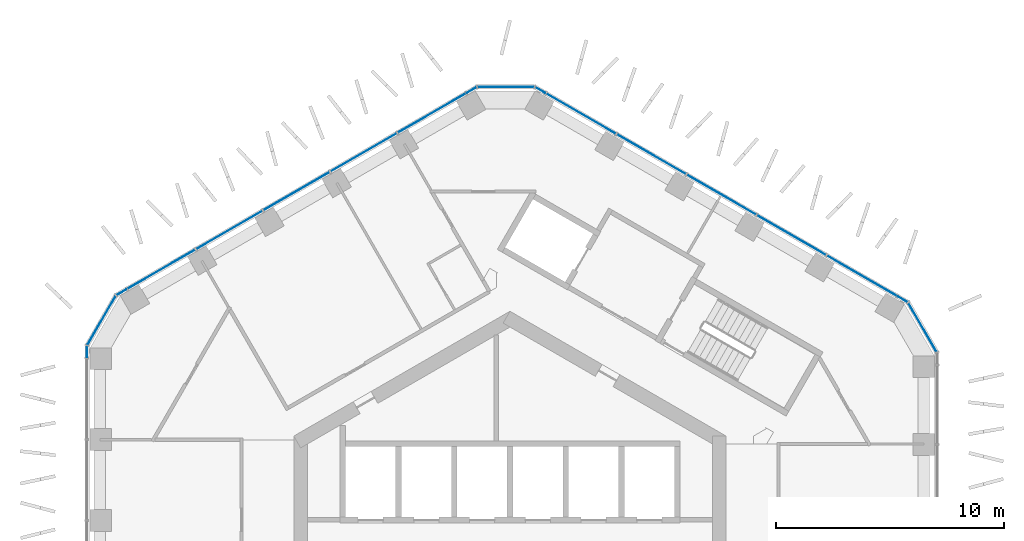
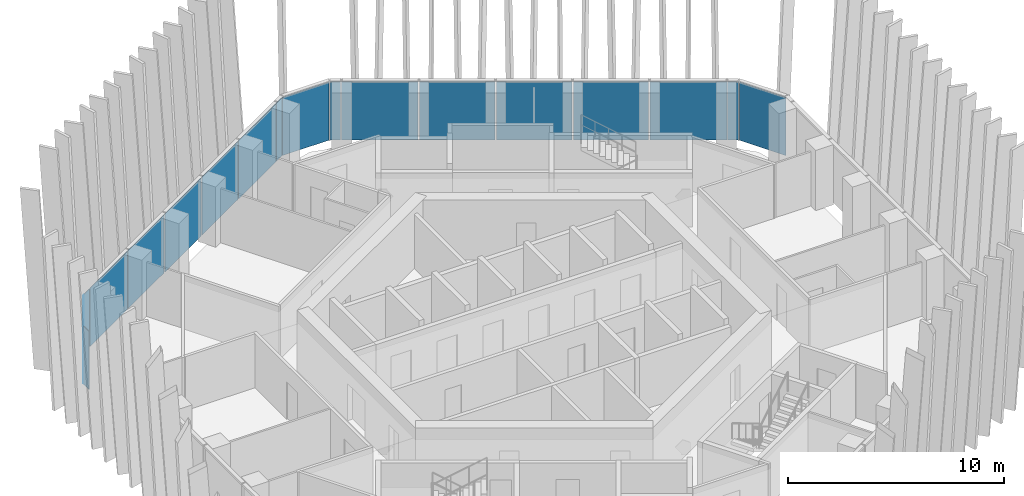
# One storey, part 12 of 20: 18 plates, 5 elements without a shape of their own.
"""IFC4 building model written with IfcOpenShell, lengths in metres."""

from ifc_helpers import new_model, si_unit, direction, frame, origin, origin_2d, place, context, subcontext, project, spatial, rectangle, extrude, material, layer, layer_set, type_object, element, aggregate, save


model = new_model("IFC4")

# Units and contexts
model_context = context("Model", 3, precision=1e-05, world=origin(), true_north=direction((0.0, 1.0)))
body_context = subcontext(model_context, "Body", "Model", "MODEL_VIEW")
ifc_project = project(units=[si_unit("LENGTHUNIT", "METRE"), si_unit("AREAUNIT", "SQUARE_METRE"), si_unit("VOLUMEUNIT", "CUBIC_METRE"), si_unit("PLANEANGLEUNIT", "RADIAN"), si_unit("MASSUNIT", "GRAM", prefix="KILO")], contexts=[model_context])

# Site, building, storey
site_placement = place(None, origin())
site = spatial("IfcSite", under=ifc_project, at=site_placement, CompositionType="ELEMENT")
building_placement = place(site_placement, origin())
building = spatial("IfcBuilding", under=site, at=building_placement, Name="Ayvan Gate Tower", CompositionType="ELEMENT")
storey_placement = place(building_placement, frame((0.0, 0.0, 162.89990234375)))
storey = spatial("IfcBuildingStorey", under=building, at=storey_placement, Name="L43", CompositionType="ELEMENT", Elevation=162.89990234375)

# Curtain wall, plates
ifc_material_1 = material(Name="Bronze anodised aluminium", Category="aluminium")
ifc_layer_1 = layer(ifc_material_1, 0.199951171875)
ifc_layer_set_1 = layer_set([ifc_layer_1], Name="Bronze anodised aluminium")
curtain_wall_type_1 = type_object("IfcCurtainWallType", Name="Stick curtain wall CW-2", PredefinedType="NOTDEFINED", material=ifc_layer_set_1)
curtain_wall_1_placement = place(storey_placement, origin())
curtain_wall_1 = element("IfcCurtainWall", 1, at=curtain_wall_1_placement, inside=storey, type_object=curtain_wall_type_1, Name="Stick curtain wall CW-2 L43", PredefinedType="NOTDEFINED")
ifc_material_2 = material(Name="Clear low-iron laminated glass", Category="glass")
ifc_layer_2 = layer(ifc_material_2, 0.028076171875)
ifc_layer_set_2 = layer_set([ifc_layer_2], Name="Clear low-iron laminated glass")
plate_type_1 = type_object("IfcPlateType", Name="Stick curtain wall CW-2 glass panel", PredefinedType="CURTAIN_PANEL", material=ifc_layer_set_2)
plate_1_placement = place(storey_placement, frame((-3.424560546875, 19.686767578125, 0.0), z_axis=(0.0, 0.0, 1.0), x_axis=(-0.866025403784, -0.5, 0.0)))
plate_1 = element("IfcPlate", 2, at=plate_1_placement, type_object=plate_type_1, Name="CW-2 glass panel 1", PredefinedType="CURTAIN_PANEL", context=body_context, shape_type="SweptSolid", body=[
    extrude(rectangle(XDim=3.450927734375, YDim=0.028076171875, at=origin_2d()), origin(), (0.0, 0.0, 1.0), 3.280029296875),
])
plate_2_placement = place(storey_placement, frame((-6.42626953125, 17.953857421875, 0.0), z_axis=(0.0, 0.0, 1.0), x_axis=(-0.866025403784, -0.5, 0.0)))
plate_2 = element("IfcPlate", 3, at=plate_2_placement, type_object=plate_type_1, Name="CW-2 glass panel 2", PredefinedType="CURTAIN_PANEL", context=body_context, shape_type="SweptSolid", body=[
    extrude(rectangle(XDim=3.341064453125, YDim=0.028076171875, at=origin_2d()), origin(), (0.0, 0.0, 1.0), 3.280029296875),
])
plate_3_placement = place(storey_placement, frame((-9.380615234375, 16.248046875, 0.0), z_axis=(0.0, 0.0, 1.0), x_axis=(-0.866025403784, -0.5, 0.0)))
plate_3 = element("IfcPlate", 4, at=plate_3_placement, type_object=plate_type_1, Name="CW-2 glass panel 3", PredefinedType="CURTAIN_PANEL", context=body_context, shape_type="SweptSolid", body=[
    extrude(rectangle(XDim=3.342041015625, YDim=0.028076171875, at=origin_2d()), origin(), (0.0, 0.0, 1.0), 3.280029296875),
])
plate_4_placement = place(storey_placement, frame((-12.335205078125, 14.542236328125, 0.0), z_axis=(0.0, 0.0, 1.0), x_axis=(-0.866025403784, -0.5, 0.0)))
plate_4 = element("IfcPlate", 5, at=plate_4_placement, type_object=plate_type_1, Name="CW-2 glass panel 4", PredefinedType="CURTAIN_PANEL", context=body_context, shape_type="SweptSolid", body=[
    extrude(rectangle(XDim=3.341064453125, YDim=0.028076171875, at=origin_2d()), origin(), (0.0, 0.0, 1.0), 3.280029296875),
])
plate_5_placement = place(storey_placement, frame((-15.3369140625, 12.809326171875, 0.0), z_axis=(0.0, 0.0, 1.0), x_axis=(-0.866025403784, -0.5, 0.0)))
plate_5 = element("IfcPlate", 6, at=plate_5_placement, type_object=plate_type_1, Name="CW-2 glass panel 5", PredefinedType="CURTAIN_PANEL", context=body_context, shape_type="SweptSolid", body=[
    extrude(rectangle(XDim=3.451171875, YDim=0.028076171875, at=origin_2d()), origin(), (0.0, 0.0, 1.0), 3.280029296875),
])
aggregate(curtain_wall_1, [plate_1, plate_2, plate_3, plate_4, plate_5])

curtain_wall_2_placement = place(storey_placement, origin())
curtain_wall_2 = element("IfcCurtainWall", 7, at=curtain_wall_2_placement, inside=storey, type_object=curtain_wall_type_1, Name="Stick curtain wall CW-2 L43", PredefinedType="NOTDEFINED")
plate_6_placement = place(storey_placement, frame((15.474609375, 12.524169921875, 0.0), z_axis=(0.0, 0.0, 1.0), x_axis=(-0.866025403784, 0.5, 0.0)))
plate_6 = element("IfcPlate", 8, at=plate_6_placement, type_object=plate_type_1, Name="CW-2 glass panel 1", PredefinedType="CURTAIN_PANEL", context=body_context, shape_type="SweptSolid", body=[
    extrude(rectangle(XDim=3.5439453125, YDim=0.028076171875, at=origin_2d()), origin(), (0.0, 0.0, 1.0), 3.280029296875),
])
plate_7_placement = place(storey_placement, frame((12.370361328125, 14.31640625, 0.0), z_axis=(0.0, 0.0, 1.0), x_axis=(-0.866025403784, 0.5, 0.0)))
plate_7 = element("IfcPlate", 9, at=plate_7_placement, type_object=plate_type_1, Name="CW-2 glass panel 2", PredefinedType="CURTAIN_PANEL", context=body_context, shape_type="SweptSolid", body=[
    extrude(rectangle(XDim=3.485107421875, YDim=0.028076171875, at=origin_2d()), origin(), (0.0, 0.0, 1.0), 3.280029296875),
])
plate_8_placement = place(storey_placement, frame((9.291748046875, 16.09375, 0.0), z_axis=(0.0, 0.0, 1.0), x_axis=(-0.866025403784, 0.5, 0.0)))
plate_8 = element("IfcPlate", 10, at=plate_8_placement, type_object=plate_type_1, Name="CW-2 glass panel 3", PredefinedType="CURTAIN_PANEL", context=body_context, shape_type="SweptSolid", body=[
    extrude(rectangle(XDim=3.485107421875, YDim=0.028076171875, at=origin_2d()), origin(), (0.0, 0.0, 1.0), 3.280029296875),
])
plate_9_placement = place(storey_placement, frame((6.212890625, 17.871337890625, 0.0), z_axis=(0.0, 0.0, 1.0), x_axis=(-0.866025403784, 0.5, 0.0)))
plate_9 = element("IfcPlate", 11, at=plate_9_placement, type_object=plate_type_1, Name="CW-2 glass panel 4", PredefinedType="CURTAIN_PANEL", context=body_context, shape_type="SweptSolid", body=[
    extrude(rectangle(XDim=3.485107421875, YDim=0.028076171875, at=origin_2d()), origin(), (0.0, 0.0, 1.0), 3.280029296875),
])
plate_10_placement = place(storey_placement, frame((3.108642578125, 19.66357421875, 0.0), z_axis=(0.0, 0.0, 1.0), x_axis=(-0.866025403784, 0.5, 0.0)))
plate_10 = element("IfcPlate", 12, at=plate_10_placement, type_object=plate_type_1, Name="CW-2 glass panel 5", PredefinedType="CURTAIN_PANEL", context=body_context, shape_type="SweptSolid", body=[
    extrude(rectangle(XDim=3.5439453125, YDim=0.028076171875, at=origin_2d()), origin(), (0.0, 0.0, 1.0), 3.280029296875),
])
aggregate(curtain_wall_2, [plate_6, plate_7, plate_8, plate_9, plate_10])

ifc_layer_3 = layer(ifc_material_1, 0.199951171875)
ifc_layer_set_3 = layer_set([ifc_layer_3], Name="Bronze anodised aluminium")
curtain_wall_type_2 = type_object("IfcCurtainWallType", Name="Stick curtain wall CW-6", PredefinedType="NOTDEFINED", material=ifc_layer_set_3)
curtain_wall_3_placement = place(storey_placement, origin())
curtain_wall_3 = element("IfcCurtainWall", 13, at=curtain_wall_3_placement, inside=storey, type_object=curtain_wall_type_2, Name="Stick curtain wall CW-6 L43", PredefinedType="NOTDEFINED")
ifc_layer_4 = layer(ifc_material_2, 0.028076171875)
ifc_layer_set_4 = layer_set([ifc_layer_4], Name="Clear low-iron laminated glass")
plate_type_2 = type_object("IfcPlateType", Name="Stick curtain wall CW-6 glass panel", PredefinedType="CURTAIN_PANEL", material=ifc_layer_set_4)
plate_11_placement = place(storey_placement, frame((-17.078125, 11.803955078125, 0.0), z_axis=(0.0, 0.0, 1.0), x_axis=(-0.866025403784, -0.5, 0.0)))
plate_11 = element("IfcPlate", 14, at=plate_11_placement, type_object=plate_type_2, Name="CW-6 glass panel 1", PredefinedType="CURTAIN_PANEL", context=body_context, shape_type="SweptSolid", body=[
    extrude(rectangle(XDim=0.5, YDim=0.028076171875, at=origin_2d()), origin(), (0.0, 0.0, 1.0), 3.280029296875),
])
plate_12_placement = place(storey_placement, frame((-17.949951171875, 10.56884765625, 0.0), z_axis=(0.0, 0.0, 1.0), x_axis=(-0.5, -0.866025403784, 0.0)))
plate_12 = element("IfcPlate", 15, at=plate_12_placement, type_object=plate_type_2, Name="CW-6 glass panel 2", PredefinedType="CURTAIN_PANEL", context=body_context, shape_type="SweptSolid", body=[
    extrude(rectangle(XDim=2.484619140625, YDim=0.028076171875, at=origin_2d()), origin(), (0.0, 0.0, 1.0), 3.280029296875),
])
plate_13_placement = place(storey_placement, frame((-18.58349609375, 9.196533203125, 0.0), z_axis=(0.0, 0.0, 1.0), x_axis=(0.0, -1.0, 0.0)))
plate_13 = element("IfcPlate", 16, at=plate_13_placement, type_object=plate_type_2, Name="CW-6 glass panel 3", PredefinedType="CURTAIN_PANEL", context=body_context, shape_type="SweptSolid", body=[
    extrude(rectangle(XDim=0.5, YDim=0.028076171875, at=origin_2d()), origin(), (0.0, 0.0, 1.0), 3.280029296875),
])
aggregate(curtain_wall_3, [plate_11, plate_12, plate_13])

curtain_wall_4_placement = place(storey_placement, origin())
curtain_wall_4 = element("IfcCurtainWall", 17, at=curtain_wall_4_placement, inside=storey, type_object=curtain_wall_type_2, Name="Stick curtain wall CW-6 L43", PredefinedType="NOTDEFINED")
plate_14_placement = place(storey_placement, frame((18.1279296875, 10.260498046875, 0.0), z_axis=(0.0, 0.0, 1.0), x_axis=(-0.5, 0.866025403784, 0.0)))
plate_14 = element("IfcPlate", 18, at=plate_14_placement, type_object=plate_type_2, Name="CW-6 glass panel 2", PredefinedType="CURTAIN_PANEL", context=body_context, shape_type="SweptSolid", body=[
    extrude(rectangle(XDim=2.484619140625, YDim=0.028076171875, at=origin_2d()), origin(), (0.0, 0.0, 1.0), 3.280029296875),
])
plate_15_placement = place(storey_placement, frame((17.256103515625, 11.49560546875, 0.0), z_axis=(0.0, 0.0, 1.0), x_axis=(-0.866025403784, 0.5, 0.0)))
plate_15 = element("IfcPlate", 19, at=plate_15_placement, type_object=plate_type_2, Name="CW-6 glass panel 3", PredefinedType="CURTAIN_PANEL", context=body_context, shape_type="SweptSolid", body=[
    extrude(rectangle(XDim=0.5, YDim=0.028076171875, at=origin_2d()), origin(), (0.0, 0.0, 1.0), 3.280029296875),
])
aggregate(curtain_wall_4, [plate_14, plate_15])

curtain_wall_5_placement = place(storey_placement, origin())
curtain_wall_5 = element("IfcCurtainWall", 20, at=curtain_wall_5_placement, inside=storey, type_object=curtain_wall_type_2, Name="Stick curtain wall CW-6 L43", PredefinedType="NOTDEFINED")
plate_16_placement = place(storey_placement, frame((1.327392578125, 20.69189453125, 0.0), z_axis=(0.0, 0.0, 1.0), x_axis=(-0.866025403784, 0.5, 0.0)))
plate_16 = element("IfcPlate", 21, at=plate_16_placement, type_object=plate_type_2, Name="CW-6 glass panel 1", PredefinedType="CURTAIN_PANEL", context=body_context, shape_type="SweptSolid", body=[
    extrude(rectangle(XDim=0.5, YDim=0.028076171875, at=origin_2d()), origin(), (0.0, 0.0, 1.0), 3.280029296875),
])
plate_17_placement = place(storey_placement, frame((-0.177978515625, 20.82958984375, 0.0), z_axis=(0.0, 0.0, 1.0), x_axis=(-1.0, 0.0, 0.0)))
plate_17 = element("IfcPlate", 22, at=plate_17_placement, type_object=plate_type_2, Name="CW-6 glass panel 2", PredefinedType="CURTAIN_PANEL", context=body_context, shape_type="SweptSolid", body=[
    extrude(rectangle(XDim=2.484619140625, YDim=0.028076171875, at=origin_2d()), origin(), (0.0, 0.0, 1.0), 3.280029296875),
])
plate_18_placement = place(storey_placement, frame((-1.68359375, 20.69189453125, 0.0), z_axis=(0.0, 0.0, 1.0), x_axis=(-0.866025403784, -0.5, 0.0)))
plate_18 = element("IfcPlate", 23, at=plate_18_placement, type_object=plate_type_2, Name="CW-6 glass panel 3", PredefinedType="CURTAIN_PANEL", context=body_context, shape_type="SweptSolid", body=[
    extrude(rectangle(XDim=0.5, YDim=0.028076171875, at=origin_2d()), origin(), (0.0, 0.0, 1.0), 3.280029296875),
])
aggregate(curtain_wall_5, [plate_16, plate_17, plate_18])

save(model, "model.ifc")
